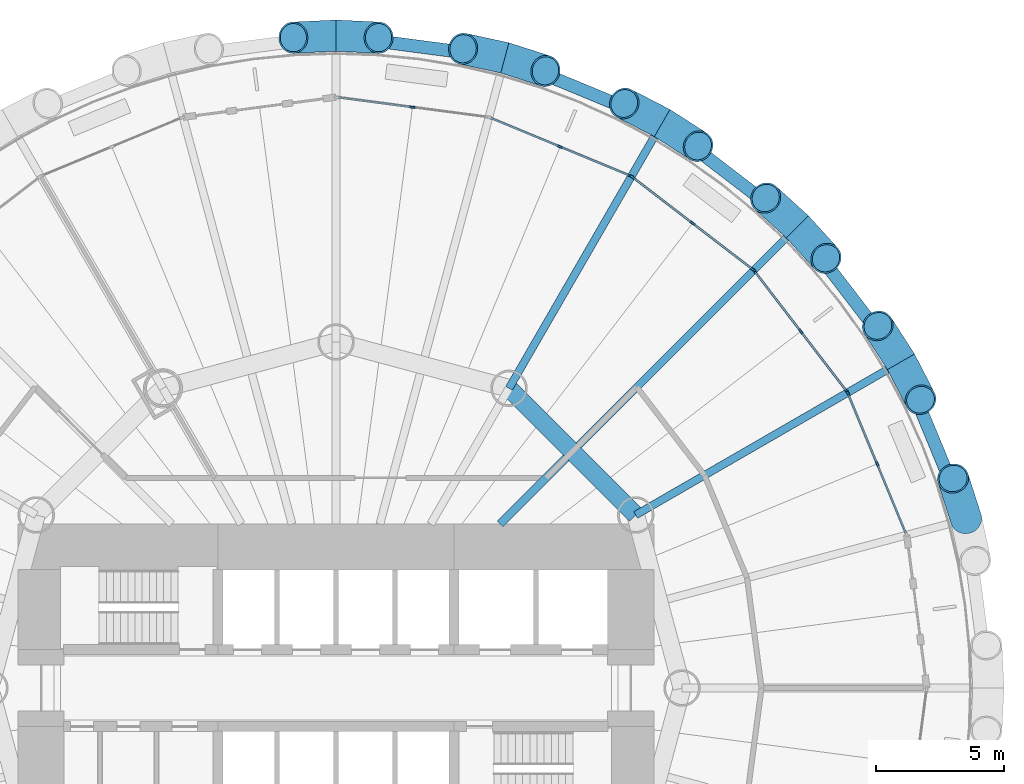
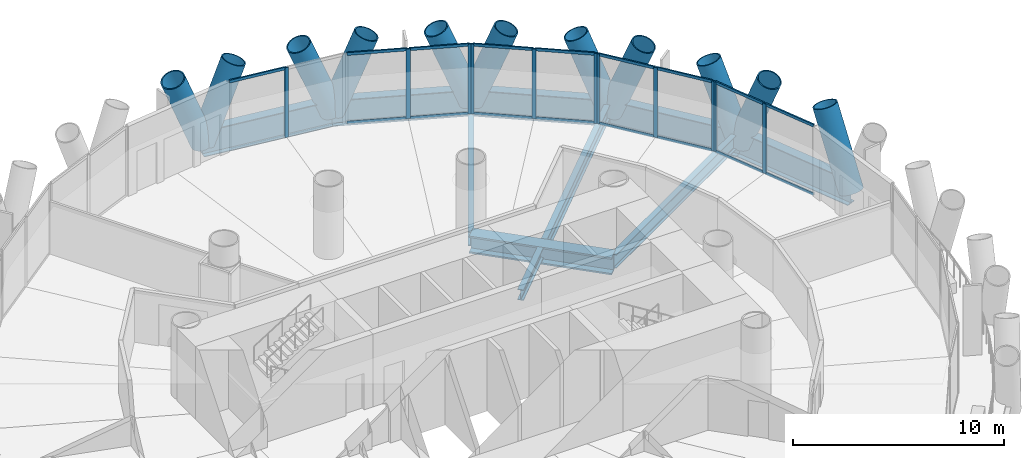
# One storey, part 6 of 14: 39 members, 10 beams, 5 elements without a shape of their own.
"""IFC4 building model written with IfcOpenShell, lengths in metres."""

from ifc_helpers import new_model, si_unit, direction, frame, origin, origin_2d, place, context, subcontext, project, spatial, rectangle, hollow_circle, i_section, extrude, material, material_profile, profile_set, type_object, element, aggregate, save


model = new_model("IFC4")

# Units and contexts
model_context = context("Model", 3, precision=1e-05, world=origin(), true_north=direction((0.0, 1.0)))
body_context = subcontext(model_context, "Body", "Model", "MODEL_VIEW")
ifc_project = project(units=[si_unit("LENGTHUNIT", "METRE"), si_unit("AREAUNIT", "SQUARE_METRE"), si_unit("VOLUMEUNIT", "CUBIC_METRE"), si_unit("PLANEANGLEUNIT", "RADIAN"), si_unit("MASSUNIT", "GRAM", prefix="KILO")], contexts=[model_context])

# Site, building, storey
site_placement = place(None, origin())
site = spatial("IfcSite", under=ifc_project, at=site_placement, CompositionType="ELEMENT")
building_placement = place(site_placement, origin())
building = spatial("IfcBuilding", under=site, at=building_placement, Name="Qaws Media Tower", CompositionType="ELEMENT")
storey_placement = place(building_placement, frame((0.0, 0.0, 93.199951171875)))
storey = spatial("IfcBuildingStorey", under=building, at=storey_placement, Name="L20", CompositionType="ELEMENT", Elevation=93.199951171875)

# Curtain wall, members
ifc_material_1 = material(Name="Aluminium and clear glass", Category="aluminium")
curtain_wall_type = type_object("IfcCurtainWallType", Name="Unitised curtain wall CW-A", PredefinedType="NOTDEFINED", material=ifc_material_1)
curtain_wall_1_placement = place(storey_placement, origin())
curtain_wall_1 = element("IfcCurtainWall", 1, at=curtain_wall_1_placement, inside=storey, type_object=curtain_wall_type, Name="CWA curtain wall L20-02", PredefinedType="NOTDEFINED")
ifc_material_2 = material(Name="Aluminium mullion", Category="aluminium")
ifc_material_profile_1 = material_profile(ifc_material_2, rectangle(XDim=0.080078125, YDim=0.199951171875, at=origin_2d()), Name="80x200")
ifc_profile_set_1 = profile_set([ifc_material_profile_1], Name="Aluminium mullion")
member_type_1 = type_object("IfcMemberType", Name="Curtain wall mullion 80x200", PredefinedType="MULLION", material=ifc_profile_set_1)
member_1_placement = place(storey_placement, frame((81.11328125, 58.745361328125, 0.0), z_axis=(0.0, 0.0, 1.0), x_axis=(-0.923879575665, -0.382683328183, 0.0)))
member_1 = element("IfcMember", 2, at=member_1_placement, type_object=member_type_1, Name="CWA mullion 2", PredefinedType="MULLION", context=body_context, shape_type="SweptSolid", body=[
    extrude(rectangle(XDim=0.080078125, YDim=0.199951171875, at=origin_2d()), origin(), (0.0, 0.0, 1.0), 4.0400390625),
])
member_2_placement = place(storey_placement, frame((79.977294921875, 61.488037109375, 0.0), z_axis=(0.0, 0.0, 1.0), x_axis=(-0.923879575665, -0.382683328183, 0.0)))
member_2 = element("IfcMember", 3, at=member_2_placement, type_object=member_type_1, Name="CWA mullion 3", PredefinedType="MULLION", context=body_context, shape_type="SweptSolid", body=[
    extrude(rectangle(XDim=0.080078125, YDim=0.199951171875, at=origin_2d()), origin(), (0.0, 0.0, 1.0), 4.0400390625),
])

curtain_wall_2_placement = place(storey_placement, origin())
curtain_wall_2 = element("IfcCurtainWall", 4, at=curtain_wall_2_placement, inside=storey, type_object=curtain_wall_type, Name="CWA curtain wall L20-03", PredefinedType="NOTDEFINED")
member_3_placement = place(storey_placement, frame((79.9375, 61.556640625, 0.0), z_axis=(0.0, 0.0, 1.0), x_axis=(-0.793353261295, -0.608761531958, 0.0)))
member_3 = element("IfcMember", 5, at=member_3_placement, type_object=member_type_1, Name="CWA mullion 1", PredefinedType="MULLION", context=body_context, shape_type="SweptSolid", body=[
    extrude(rectangle(XDim=0.080078125, YDim=0.199951171875, at=origin_2d()), origin(), (0.0, 0.0, 1.0), 4.0400390625),
])
member_4_placement = place(storey_placement, frame((78.13037109375, 63.911865234375, 0.0), z_axis=(0.0, 0.0, 1.0), x_axis=(-0.793353261295, -0.608761531958, 0.0)))
member_4 = element("IfcMember", 6, at=member_4_placement, type_object=member_type_1, Name="CWA mullion 2", PredefinedType="MULLION", context=body_context, shape_type="SweptSolid", body=[
    extrude(rectangle(XDim=0.080078125, YDim=0.199951171875, at=origin_2d()), origin(), (0.0, 0.0, 1.0), 4.0400390625),
])
member_5_placement = place(storey_placement, frame((76.3232421875, 66.26708984375, 0.0), z_axis=(0.0, 0.0, 1.0), x_axis=(-0.793353261295, -0.608761531958, 0.0)))
member_5 = element("IfcMember", 7, at=member_5_placement, type_object=member_type_1, Name="CWA mullion 3", PredefinedType="MULLION", context=body_context, shape_type="SweptSolid", body=[
    extrude(rectangle(XDim=0.080078125, YDim=0.199951171875, at=origin_2d()), origin(), (0.0, 0.0, 1.0), 4.0400390625),
])

curtain_wall_3_placement = place(storey_placement, origin())
curtain_wall_3 = element("IfcCurtainWall", 8, at=curtain_wall_3_placement, inside=storey, type_object=curtain_wall_type, Name="CWA curtain wall L20-04", PredefinedType="NOTDEFINED")
member_6_placement = place(storey_placement, frame((76.26708984375, 66.3232421875, 0.0), z_axis=(0.0, 0.0, 1.0), x_axis=(-0.608761531958, -0.793353261295, 0.0)))
member_6 = element("IfcMember", 9, at=member_6_placement, type_object=member_type_1, Name="CWA mullion 1", PredefinedType="MULLION", context=body_context, shape_type="SweptSolid", body=[
    extrude(rectangle(XDim=0.080078125, YDim=0.199951171875, at=origin_2d()), origin(), (0.0, 0.0, 1.0), 4.0400390625),
])
member_7_placement = place(storey_placement, frame((73.911865234375, 68.13037109375, 0.0), z_axis=(0.0, 0.0, 1.0), x_axis=(-0.608761531958, -0.793353261295, 0.0)))
member_7 = element("IfcMember", 10, at=member_7_placement, type_object=member_type_1, Name="CWA mullion 2", PredefinedType="MULLION", context=body_context, shape_type="SweptSolid", body=[
    extrude(rectangle(XDim=0.080078125, YDim=0.199951171875, at=origin_2d()), origin(), (0.0, 0.0, 1.0), 4.0400390625),
])
member_8_placement = place(storey_placement, frame((71.556640625, 69.9375, 0.0), z_axis=(0.0, 0.0, 1.0), x_axis=(-0.608761531958, -0.793353261295, 0.0)))
member_8 = element("IfcMember", 11, at=member_8_placement, type_object=member_type_1, Name="CWA mullion 3", PredefinedType="MULLION", context=body_context, shape_type="SweptSolid", body=[
    extrude(rectangle(XDim=0.080078125, YDim=0.199951171875, at=origin_2d()), origin(), (0.0, 0.0, 1.0), 4.0400390625),
])

curtain_wall_4_placement = place(storey_placement, origin())
curtain_wall_4 = element("IfcCurtainWall", 12, at=curtain_wall_4_placement, inside=storey, type_object=curtain_wall_type, Name="CWA curtain wall L20-05", PredefinedType="NOTDEFINED")
member_9_placement = place(storey_placement, frame((71.488037109375, 69.977294921875, 0.0), z_axis=(0.0, 0.0, 1.0), x_axis=(-0.382683328183, -0.923879575665, 0.0)))
member_9 = element("IfcMember", 13, at=member_9_placement, type_object=member_type_1, Name="CWA mullion 1", PredefinedType="MULLION", context=body_context, shape_type="SweptSolid", body=[
    extrude(rectangle(XDim=0.080078125, YDim=0.199951171875, at=origin_2d()), origin(), (0.0, 0.0, 1.0), 4.0400390625),
])
member_10_placement = place(storey_placement, frame((68.745361328125, 71.11328125, 0.0), z_axis=(0.0, 0.0, 1.0), x_axis=(-0.382683328183, -0.923879575665, 0.0)))
member_10 = element("IfcMember", 14, at=member_10_placement, type_object=member_type_1, Name="CWA mullion 2", PredefinedType="MULLION", context=body_context, shape_type="SweptSolid", body=[
    extrude(rectangle(XDim=0.080078125, YDim=0.199951171875, at=origin_2d()), origin(), (0.0, 0.0, 1.0), 4.0400390625),
])

# Curtain wall, member
curtain_wall_5_placement = place(storey_placement, origin())
curtain_wall_5 = element("IfcCurtainWall", 15, at=curtain_wall_5_placement, inside=storey, type_object=curtain_wall_type, Name="CWA curtain wall L20-06", PredefinedType="NOTDEFINED")
member_11_placement = place(storey_placement, frame((62.98291015625, 72.6572265625, 0.0), z_axis=(0.0, 0.0, 1.0), x_axis=(-0.130526240342, -0.991444855038, 0.0)))
member_11 = element("IfcMember", 16, at=member_11_placement, type_object=member_type_1, Name="CWA mullion 2", PredefinedType="MULLION", context=body_context, shape_type="SweptSolid", body=[
    extrude(rectangle(XDim=0.080078125, YDim=0.199951171875, at=origin_2d()), origin(), (0.0, 0.0, 1.0), 4.0400390625),
])

# Member
ifc_material_3 = material(Name="Aluminium transom", Category="aluminium")
ifc_material_profile_2 = material_profile(ifc_material_3, rectangle(XDim=0.080078125, YDim=0.159912109375, at=origin_2d()), Name="80x160")
ifc_profile_set_2 = profile_set([ifc_material_profile_2], Name="Aluminium transom")
member_type_2 = type_object("IfcMemberType", Name="Curtain wall transom 80x160", PredefinedType="USERDEFINED", material=ifc_profile_set_2)
member_12_placement = place(storey_placement, frame((82.23388671875, 56.039794921875, 0.0400390625), z_axis=(-0.382627993016, 0.923902494293, 0.0), x_axis=(-0.923902494293, -0.382627993016, 0.0)))
member_12 = element("IfcMember", 17, at=member_12_placement, type_object=member_type_2, Name="CWA transom 1.1", ObjectType="TRANSOM", PredefinedType="USERDEFINED", context=body_context, shape_type="SweptSolid", body=[
    extrude(rectangle(XDim=0.080078125, YDim=0.159912109375, at=origin_2d()), origin(), (0.0, 0.0, 1.0), 2.888427734375),
])

member_13_placement = place(storey_placement, frame((82.23388671875, 56.039794921875, 4.0), z_axis=(-0.382627993016, 0.923902494293, 0.0), x_axis=(-0.923902494293, -0.382627993016, 0.0)))
member_13 = element("IfcMember", 18, at=member_13_placement, type_object=member_type_2, Name="CWA transom 1.2", ObjectType="TRANSOM", PredefinedType="USERDEFINED", context=body_context, shape_type="SweptSolid", body=[
    extrude(rectangle(XDim=0.080078125, YDim=0.159912109375, at=origin_2d()), origin(), (0.0, 0.0, 1.0), 2.888427734375),
])

member_14_placement = place(storey_placement, frame((81.097900390625, 58.7822265625, 0.0400390625), z_axis=(-0.382670255779, 0.923884990322, 0.0), x_axis=(-0.923884990322, -0.382670255779, 0.0)))
member_14 = element("IfcMember", 19, at=member_14_placement, type_object=member_type_2, Name="CWA transom 2.1", ObjectType="TRANSOM", PredefinedType="USERDEFINED", context=body_context, shape_type="SweptSolid", body=[
    extrude(rectangle(XDim=0.080078125, YDim=0.159912109375, at=origin_2d()), origin(), (0.0, 0.0, 1.0), 2.888916015625),
])

member_15_placement = place(storey_placement, frame((81.097900390625, 58.7822265625, 4.0), z_axis=(-0.382670255779, 0.923884990322, 0.0), x_axis=(-0.923884990322, -0.382670255779, 0.0)))
member_15 = element("IfcMember", 20, at=member_15_placement, type_object=member_type_2, Name="CWA transom 2.2", ObjectType="TRANSOM", PredefinedType="USERDEFINED", context=body_context, shape_type="SweptSolid", body=[
    extrude(rectangle(XDim=0.080078125, YDim=0.159912109375, at=origin_2d()), origin(), (0.0, 0.0, 1.0), 2.888916015625),
])

aggregate(curtain_wall_1, [member_1, member_2, member_12, member_13, member_14, member_15])

member_16_placement = place(storey_placement, frame((79.9130859375, 61.58837890625, 0.0400390625), z_axis=(-0.608713633127, 0.793390013074, 0.0), x_axis=(-0.793390013074, -0.608713633127, 0.0)))
member_16 = element("IfcMember", 21, at=member_16_placement, type_object=member_type_2, Name="CWA transom 1.1", ObjectType="TRANSOM", PredefinedType="USERDEFINED", context=body_context, shape_type="SweptSolid", body=[
    extrude(rectangle(XDim=0.080078125, YDim=0.159912109375, at=origin_2d()), origin(), (0.0, 0.0, 1.0), 2.888671875),
])

member_17_placement = place(storey_placement, frame((79.9130859375, 61.58837890625, 4.0), z_axis=(-0.608713633127, 0.793390013074, 0.0), x_axis=(-0.793390013074, -0.608713633127, 0.0)))
member_17 = element("IfcMember", 22, at=member_17_placement, type_object=member_type_2, Name="CWA transom 1.2", ObjectType="TRANSOM", PredefinedType="USERDEFINED", context=body_context, shape_type="SweptSolid", body=[
    extrude(rectangle(XDim=0.080078125, YDim=0.159912109375, at=origin_2d()), origin(), (0.0, 0.0, 1.0), 2.888671875),
])

member_18_placement = place(storey_placement, frame((78.10595703125, 63.943603515625, 0.0400390625), z_axis=(-0.608766831684, 0.793349194644, 0.0), x_axis=(-0.793349194644, -0.608766831684, 0.0)))
member_18 = element("IfcMember", 23, at=member_18_placement, type_object=member_type_2, Name="CWA transom 2.1", ObjectType="TRANSOM", PredefinedType="USERDEFINED", context=body_context, shape_type="SweptSolid", body=[
    extrude(rectangle(XDim=0.080078125, YDim=0.159912109375, at=origin_2d()), origin(), (0.0, 0.0, 1.0), 2.888671875),
])

member_19_placement = place(storey_placement, frame((78.10595703125, 63.943603515625, 4.0), z_axis=(-0.608766831684, 0.793349194644, 0.0), x_axis=(-0.793349194644, -0.608766831684, 0.0)))
member_19 = element("IfcMember", 24, at=member_19_placement, type_object=member_type_2, Name="CWA transom 2.2", ObjectType="TRANSOM", PredefinedType="USERDEFINED", context=body_context, shape_type="SweptSolid", body=[
    extrude(rectangle(XDim=0.080078125, YDim=0.159912109375, at=origin_2d()), origin(), (0.0, 0.0, 1.0), 2.888671875),
])

aggregate(curtain_wall_2, [member_3, member_4, member_5, member_16, member_17, member_18, member_19])

member_20_placement = place(storey_placement, frame((76.2353515625, 66.347412109375, 0.0400390625), z_axis=(-0.793349194644, 0.608766831684, 0.0), x_axis=(-0.608766831684, -0.793349194644, 0.0)))
member_20 = element("IfcMember", 25, at=member_20_placement, type_object=member_type_2, Name="CWA transom 1.1", ObjectType="TRANSOM", PredefinedType="USERDEFINED", context=body_context, shape_type="SweptSolid", body=[
    extrude(rectangle(XDim=0.080078125, YDim=0.159912109375, at=origin_2d()), origin(), (0.0, 0.0, 1.0), 2.888671875),
])

member_21_placement = place(storey_placement, frame((76.2353515625, 66.347412109375, 4.0), z_axis=(-0.793349194644, 0.608766831684, 0.0), x_axis=(-0.608766831684, -0.793349194644, 0.0)))
member_21 = element("IfcMember", 26, at=member_21_placement, type_object=member_type_2, Name="CWA transom 1.2", ObjectType="TRANSOM", PredefinedType="USERDEFINED", context=body_context, shape_type="SweptSolid", body=[
    extrude(rectangle(XDim=0.080078125, YDim=0.159912109375, at=origin_2d()), origin(), (0.0, 0.0, 1.0), 2.888671875),
])

member_22_placement = place(storey_placement, frame((73.880126953125, 68.15478515625, 0.0400390625), z_axis=(-0.793390013074, 0.608713633127, 0.0), x_axis=(-0.608713633127, -0.793390013074, 0.0)))
member_22 = element("IfcMember", 27, at=member_22_placement, type_object=member_type_2, Name="CWA transom 2.1", ObjectType="TRANSOM", PredefinedType="USERDEFINED", context=body_context, shape_type="SweptSolid", body=[
    extrude(rectangle(XDim=0.080078125, YDim=0.159912109375, at=origin_2d()), origin(), (0.0, 0.0, 1.0), 2.888671875),
])

member_23_placement = place(storey_placement, frame((73.880126953125, 68.15478515625, 4.0), z_axis=(-0.793390013074, 0.608713633127, 0.0), x_axis=(-0.608713633127, -0.793390013074, 0.0)))
member_23 = element("IfcMember", 28, at=member_23_placement, type_object=member_type_2, Name="CWA transom 2.2", ObjectType="TRANSOM", PredefinedType="USERDEFINED", context=body_context, shape_type="SweptSolid", body=[
    extrude(rectangle(XDim=0.080078125, YDim=0.159912109375, at=origin_2d()), origin(), (0.0, 0.0, 1.0), 2.888671875),
])

aggregate(curtain_wall_3, [member_6, member_7, member_8, member_20, member_21, member_22, member_23])

member_24_placement = place(storey_placement, frame((71.451171875, 69.992431640625, 0.0400390625), z_axis=(-0.923884990322, 0.382670255779, 0.0), x_axis=(-0.382670255779, -0.923884990322, 0.0)))
member_24 = element("IfcMember", 29, at=member_24_placement, type_object=member_type_2, Name="CWA transom 1.1", ObjectType="TRANSOM", PredefinedType="USERDEFINED", context=body_context, shape_type="SweptSolid", body=[
    extrude(rectangle(XDim=0.080078125, YDim=0.159912109375, at=origin_2d()), origin(), (0.0, 0.0, 1.0), 2.888916015625),
])

member_25_placement = place(storey_placement, frame((71.451171875, 69.992431640625, 4.0), z_axis=(-0.923884990322, 0.382670255779, 0.0), x_axis=(-0.382670255779, -0.923884990322, 0.0)))
member_25 = element("IfcMember", 30, at=member_25_placement, type_object=member_type_2, Name="CWA transom 1.2", ObjectType="TRANSOM", PredefinedType="USERDEFINED", context=body_context, shape_type="SweptSolid", body=[
    extrude(rectangle(XDim=0.080078125, YDim=0.159912109375, at=origin_2d()), origin(), (0.0, 0.0, 1.0), 2.888916015625),
])

member_26_placement = place(storey_placement, frame((68.70849609375, 71.128662109375, 0.0400390625), z_axis=(-0.923902494293, 0.382627993016, 0.0), x_axis=(-0.382627993016, -0.923902494293, 0.0)))
member_26 = element("IfcMember", 31, at=member_26_placement, type_object=member_type_2, Name="CWA transom 2.1", ObjectType="TRANSOM", PredefinedType="USERDEFINED", context=body_context, shape_type="SweptSolid", body=[
    extrude(rectangle(XDim=0.080078125, YDim=0.159912109375, at=origin_2d()), origin(), (0.0, 0.0, 1.0), 2.888427734375),
])

member_27_placement = place(storey_placement, frame((68.70849609375, 71.128662109375, 4.0), z_axis=(-0.923902494293, 0.382627993016, 0.0), x_axis=(-0.382627993016, -0.923902494293, 0.0)))
member_27 = element("IfcMember", 32, at=member_27_placement, type_object=member_type_2, Name="CWA transom 2.2", ObjectType="TRANSOM", PredefinedType="USERDEFINED", context=body_context, shape_type="SweptSolid", body=[
    extrude(rectangle(XDim=0.080078125, YDim=0.159912109375, at=origin_2d()), origin(), (0.0, 0.0, 1.0), 2.888427734375),
])

aggregate(curtain_wall_4, [member_9, member_10, member_24, member_25, member_26, member_27])

member_28_placement = place(storey_placement, frame((62.943115234375, 72.66259765625, 4.0), z_axis=(-0.991447965263, 0.130502613671, 0.0), x_axis=(-0.130502613671, -0.991447965263, 0.0)))
member_28 = element("IfcMember", 33, at=member_28_placement, type_object=member_type_2, Name="CWA transom 2.2", ObjectType="TRANSOM", PredefinedType="USERDEFINED", context=body_context, shape_type="SweptSolid", body=[
    extrude(rectangle(XDim=0.080078125, YDim=0.159912109375, at=origin_2d()), origin(), (0.0, 0.0, 1.0), 2.888427734375),
])

aggregate(curtain_wall_5, [member_11, member_28])

# Members
ifc_material_4 = material(Name="Steel S460", Category="steel")
ifc_material_profile_3 = material_profile(ifc_material_4, hollow_circle(Radius=0.609619140625, WallThickness=0.06005859375, at=origin_2d()), Name="CHS 1219x60")
ifc_profile_set_3 = profile_set([ifc_material_profile_3], Name="Steel S460")
member_type_3 = type_object("IfcMemberType", Name="Diagrid member CHS 1219x60", PredefinedType="USERDEFINED", material=ifc_profile_set_3)
for number, where, z_axis, x_axis, name in (
    (34, (84.582763671875, 56.5869140625, -0.909912109375), (-0.11223876536, 0.350982561874, 0.929630948716), (-0.952483725005, -0.304589483732, 0.0), "DG1 diagrid L20 A02"),
    (35, (82.040283203125, 62.72509765625, -0.909912109375), (-0.199242327969, 0.309968536271, 0.929635413088), (-0.84120706378, -0.540713117879, 0.0), "DG1 diagrid L20 A03"),
    (36, (82.040283203125, 62.72509765625, -0.909912109375), (0.168815441114, -0.327579770816, 0.929619729026), (0.888905804262, 0.458090025159, 0.0), "DG1 diagrid L20 B03"),
    (37, (77.995849609375, 67.995849609375, -0.909912109375), (-0.272682383368, 0.247824298479, 0.929638335529), (-0.672570591963, -0.740032971445, 0.0), "DG1 diagrid L20 A04"),
    (38, (77.995849609375, 67.995849609375, -0.909912109375), (0.247824298479, -0.272682383368, 0.929638335529), (0.740032971445, 0.672570591963, 0.0), "DG1 diagrid L20 B04"),
    (39, (72.72509765625, 72.040283203125, -0.909912109375), (-0.327579770816, 0.168815441114, 0.929619729026), (-0.458090025159, -0.888905804262, 0.0), "DG1 diagrid L20 A05"),
    (40, (72.72509765625, 72.040283203125, -0.909912109375), (0.309968536271, -0.199242327969, 0.929635413088), (0.540713117879, 0.84120706378, 0.0), "DG1 diagrid L20 B05"),
    (41, (66.5869140625, 74.582763671875, -0.909912109375), (-0.360063084013, 0.078302777838, 0.929636084989), (-0.212502706383, -0.977160478007, 0.0), "DG1 diagrid L20 A06"),
    (42, (66.5869140625, 74.582763671875, -0.909912109375), (0.350982561874, -0.11223876536, 0.929630948716), (0.304589483732, 0.952483725005, 0.0), "DG1 diagrid L20 B06"),
    (43, (60.0, 75.449951171875, -0.909912109375), (-0.368060788684, -0.017562730337, 0.929635846091), (0.047662697627, -0.998863487797, 0.0), "DG1 diagrid L20 A07"),
    (44, (60.0, 75.449951171875, -0.909912109375), (0.368060788684, -0.017562730337, 0.929635846091), (0.047662697627, 0.998863487797, 0.0), "DG1 diagrid L20 B07"),
):
    element("IfcMember", number, at=place(storey_placement, frame(where, z_axis=z_axis, x_axis=x_axis)), inside=storey, type_object=member_type_3, Name=name, ObjectType="DIAGRID", PredefinedType="USERDEFINED", context=body_context, shape_type="SweptSolid", body=[
        extrude(hollow_circle(Radius=0.609619140625, WallThickness=0.06005859375, at=origin_2d()), origin(), (0.0, 0.0, 1.0), 4.517822265625),
    ])

# Beams
ifc_material_5 = material(Name="Steel S460", Category="steel")
ifc_material_profile_4 = material_profile(ifc_material_5, i_section(OverallWidth=0.5, OverallDepth=1.5, WebThickness=0.02001953125, FlangeThickness=0.0400390625, at=origin_2d()), Name="PG 1500x500")
ifc_profile_set_4 = profile_set([ifc_material_profile_4], Name="Steel S460")
beam_type_1 = type_object("IfcBeamType", Name="Edge ring beam PG 1500x500", PredefinedType="BEAM", material=ifc_profile_set_4)
beam_1_placement = place(storey_placement, frame((84.582763671875, 56.5869140625, -0.909912109375), z_axis=(-0.382678495952, 0.923881577225, 0.0), x_axis=(-0.923881577225, -0.382678495952, 0.0)))
element("IfcBeam", 45, at=beam_1_placement, inside=storey, type_object=beam_type_1, Name="RB4 edge ring beam L20-02", PredefinedType="BEAM", context=body_context, shape_type="SweptSolid", body=[
    extrude(i_section(OverallWidth=0.5, OverallDepth=1.5, WebThickness=0.02001953125, FlangeThickness=0.0400390625, at=origin_2d()), origin(), (0.0, 0.0, 1.0), 6.643798828125),
])
for number, where, z_axis, x_axis, name in (
    (46, (82.040283203125, 62.72509765625, -0.909912109375), (-0.608765538102, 0.793350187256, 0.0), (-0.793350187256, -0.608765538102, 0.0), "RB4 edge ring beam L20-03"),
    (47, (77.995849609375, 67.995849609375, -0.909912109375), (-0.793350187256, 0.608765538102, 0.0), (-0.608765538102, -0.793350187256, 0.0), "RB4 edge ring beam L20-04"),
):
    element("IfcBeam", number, at=place(storey_placement, frame(where, z_axis=z_axis, x_axis=x_axis)), inside=storey, type_object=beam_type_1, Name=name, PredefinedType="BEAM", context=body_context, shape_type="SweptSolid", body=[
        extrude(i_section(OverallWidth=0.5, OverallDepth=1.5, WebThickness=0.02001953125, FlangeThickness=0.0400390625, at=origin_2d()), origin(), (0.0, 0.0, 1.0), 6.6435546875),
    ])
for number, where, z_axis, x_axis, name in (
    (48, (72.72509765625, 72.040283203125, -0.909912109375), (-0.923881577225, 0.382678495952, 0.0), (-0.382678495952, -0.923881577225, 0.0), "RB4 edge ring beam L20-05"),
    (49, (66.5869140625, 74.582763671875, -0.909912109375), (-0.991444787117, 0.130526756258, 0.0), (-0.130526756258, -0.991444787117, 0.0), "RB4 edge ring beam L20-06"),
):
    element("IfcBeam", number, at=place(storey_placement, frame(where, z_axis=z_axis, x_axis=x_axis)), inside=storey, type_object=beam_type_1, Name=name, PredefinedType="BEAM", context=body_context, shape_type="SweptSolid", body=[
        extrude(i_section(OverallWidth=0.5, OverallDepth=1.5, WebThickness=0.02001953125, FlangeThickness=0.0400390625, at=origin_2d()), origin(), (0.0, 0.0, 1.0), 6.643798828125),
    ])
ifc_material_6 = material(Name="Steel S460", Category="steel")
ifc_material_profile_5 = material_profile(ifc_material_6, i_section(OverallWidth=0.699951171875, OverallDepth=1.0, WebThickness=0.034912109375, FlangeThickness=0.090087890625, at=origin_2d()), Name="PG 1000x700")
ifc_profile_set_5 = profile_set([ifc_material_profile_5], Name="Steel S460")
beam_type_2 = type_object("IfcBeamType", Name="Inner ring girder PG 1000x700", PredefinedType="BEAM", material=ifc_profile_set_5)
beam_2_placement = place(storey_placement, frame((71.69140625, 56.75, -0.659912109375), z_axis=(-0.707106781187, 0.707106781187, 0.0), x_axis=(-0.707106781187, -0.707106781187, 0.0)))
element("IfcBeam", 50, at=beam_2_placement, inside=storey, type_object=beam_type_2, Name="B3 inner ring beam L20 I02-I03", PredefinedType="BEAM", context=body_context, shape_type="SweptSolid", body=[
    extrude(i_section(OverallWidth=0.699951171875, OverallDepth=1.0, WebThickness=0.034912109375, FlangeThickness=0.090087890625, at=origin_2d()), origin(), (0.0, 0.0, 1.0), 6.98828125),
])
ifc_material_7 = material(Name="Steel S355", Category="steel")
ifc_material_profile_6 = material_profile(ifc_material_7, i_section(OverallWidth=0.304931640625, OverallDepth=0.6201171875, WebThickness=0.02099609375, FlangeThickness=0.0400390625, FilletRadius=0.027099609375, at=origin_2d()), Name="HE 600 M")
ifc_profile_set_6 = profile_set([ifc_material_profile_6], Name="Steel S355")
beam_type_3 = type_object("IfcBeamType", Name="Radial beam HE 600 M, core side", PredefinedType="BEAM", material=ifc_profile_set_6)
beam_3_placement = place(storey_placement, frame((66.39990234375, 56.39990234375, -0.469970703125), z_axis=(0.707106781187, 0.707106781187, 0.0), x_axis=(-0.707106781187, 0.707106781187, 0.0)))
element("IfcBeam", 51, at=beam_3_placement, inside=storey, type_object=beam_type_3, Name="B2 radial beam L20 04", PredefinedType="BEAM", context=body_context, shape_type="SweptSolid", body=[
    extrude(i_section(OverallWidth=0.304931640625, OverallDepth=0.6201171875, WebThickness=0.02099609375, FlangeThickness=0.0400390625, FilletRadius=0.027099609375, at=origin_2d()), origin(), (0.0, 0.0, 1.0), 3.63916015625),
])
ifc_material_8 = material(Name="Steel S355", Category="steel")
ifc_material_profile_7 = material_profile(ifc_material_8, i_section(OverallWidth=0.300048828125, OverallDepth=0.800048828125, WebThickness=0.017578125, FlangeThickness=0.032958984375, FilletRadius=0.030029296875, at=origin_2d()), Name="HE 800 B")
ifc_profile_set_7 = profile_set([ifc_material_profile_7], Name="Steel S355")
beam_type_4 = type_object("IfcBeamType", Name="Radial beam HE 800 B", PredefinedType="BEAM", material=ifc_profile_set_7)
beam_4_placement = place(storey_placement, frame((71.69140625, 56.75, -0.56005859375), z_axis=(0.866019216078, 0.500010717269, 0.0), x_axis=(-0.500010717269, 0.866019216078, 0.0)))
element("IfcBeam", 52, at=beam_4_placement, inside=storey, type_object=beam_type_4, Name="B1 radial beam L20 03", PredefinedType="BEAM", context=body_context, shape_type="SweptSolid", body=[
    extrude(i_section(OverallWidth=0.300048828125, OverallDepth=0.800048828125, WebThickness=0.017578125, FlangeThickness=0.032958984375, FilletRadius=0.030029296875, at=origin_2d()), origin(), (0.0, 0.0, 1.0), 11.949951171875),
])
beam_5_placement = place(storey_placement, frame((69.46826171875, 59.46826171875, -0.56005859375), z_axis=(0.707106781187, 0.707106781187, 0.0), x_axis=(-0.707106781187, 0.707106781187, 0.0)))
element("IfcBeam", 53, at=beam_5_placement, inside=storey, type_object=beam_type_4, Name="B1 radial beam L20 04", PredefinedType="BEAM", context=body_context, shape_type="SweptSolid", body=[
    extrude(i_section(OverallWidth=0.300048828125, OverallDepth=0.800048828125, WebThickness=0.017578125, FlangeThickness=0.032958984375, FilletRadius=0.030029296875, at=origin_2d()), origin(), (0.0, 0.0, 1.0), 12.059814453125),
])
beam_6_placement = place(storey_placement, frame((66.75, 61.69140625, -0.56005859375), z_axis=(0.500010717269, 0.866019216078, 0.0), x_axis=(-0.866019216078, 0.500010717269, 0.0)))
element("IfcBeam", 54, at=beam_6_placement, inside=storey, type_object=beam_type_4, Name="B1 radial beam L20 05", PredefinedType="BEAM", context=body_context, shape_type="SweptSolid", body=[
    extrude(i_section(OverallWidth=0.300048828125, OverallDepth=0.800048828125, WebThickness=0.017578125, FlangeThickness=0.032958984375, FilletRadius=0.030029296875, at=origin_2d()), origin(), (0.0, 0.0, 1.0), 11.949951171875),
])

save(model, "model.ifc")
